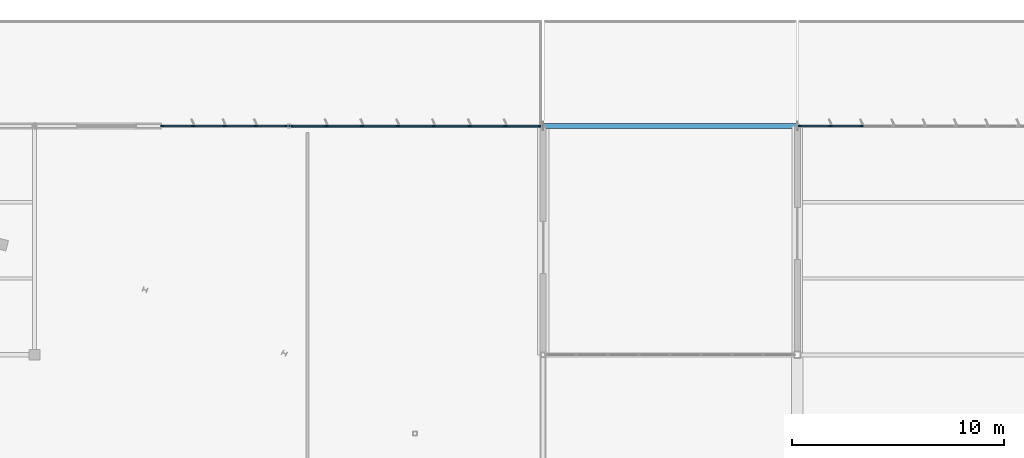
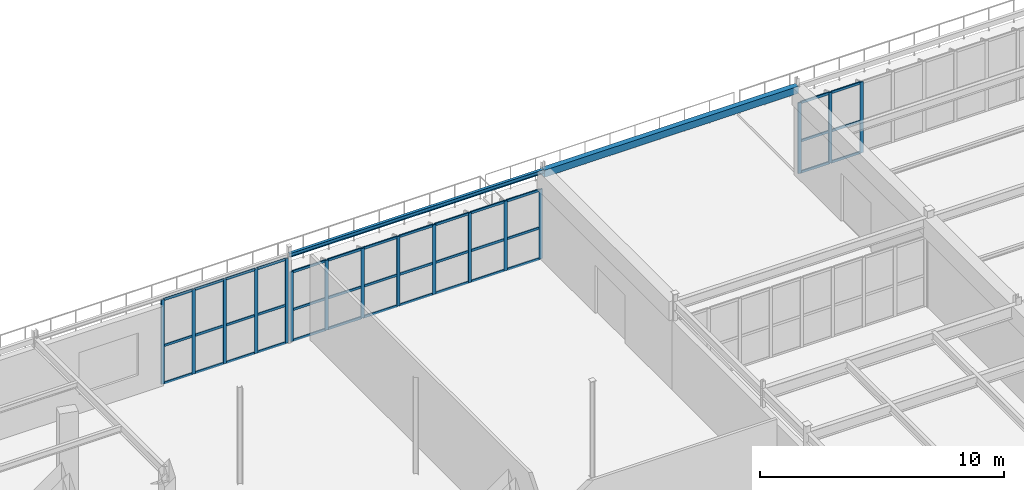
# One storey, part 114 of 199: 55 members, 2 beams, 3 elements without a shape of their own.
"""IFC4 building model written with IfcOpenShell, lengths in metres."""

from ifc_helpers import new_model, si_unit, direction, frame, origin, origin_2d, place, context, subcontext, project, spatial, rectangle, hollow_rectangle, i_section, extrude, material, layer, layer_set, material_profile, profile_set, type_object, element, aggregate, save


model = new_model("IFC4")

# Units and contexts
model_context = context("Model", 3, precision=1e-05, world=origin(), true_north=direction((0.0, 1.0)))
body_context = subcontext(model_context, "Body", "Model", "MODEL_VIEW")
ifc_project = project(units=[si_unit("LENGTHUNIT", "METRE"), si_unit("AREAUNIT", "SQUARE_METRE"), si_unit("VOLUMEUNIT", "CUBIC_METRE"), si_unit("PLANEANGLEUNIT", "RADIAN"), si_unit("MASSUNIT", "GRAM", prefix="KILO")], contexts=[model_context])

# Site, building, storey
site_placement = place(None, origin())
site = spatial("IfcSite", under=ifc_project, at=site_placement, CompositionType="ELEMENT")
building_placement = place(site_placement, origin())
building = spatial("IfcBuilding", under=site, at=building_placement, Name="Tarnwether General Hospital", CompositionType="ELEMENT")
storey_placement = place(building_placement, origin())
storey = spatial("IfcBuildingStorey", under=building, at=storey_placement, Name="L00", CompositionType="ELEMENT", Elevation=0.0)

# Beams
ifc_material_1 = material(Name="Steel Grade 350 (350 MPa)", Category="steel")
ifc_material_profile_1 = material_profile(ifc_material_1, i_section(OverallWidth=0.133056640625, OverallDepth=0.201904296875, WebThickness=0.0048828125, FlangeThickness=0.007080078125, at=origin_2d()), Name="200UB22.3")
ifc_profile_set_1 = profile_set([ifc_material_profile_1], Name="Steel Grade 350 (350 MPa)")
beam_type_1 = type_object("IfcBeamType", Name="BM-SP6", PredefinedType="SPANDREL", material=ifc_profile_set_1)
beam_1_placement = place(storey_placement, frame((120.0, 126.0, 4.343994140625), z_axis=(1.0, 0.0, 0.0), x_axis=(0.0, 1.0, 0.0)))
element("IfcBeam", 1, at=beam_1_placement, inside=storey, type_object=beam_type_1, Name="Primary Girder BMG-L00-12000_12600-13200_12600-0765", PredefinedType="SPANDREL", context=body_context, shape_type="SweptSolid", body=[
    extrude(i_section(OverallWidth=0.133056640625, OverallDepth=0.201904296875, WebThickness=0.0048828125, FlangeThickness=0.007080078125, at=origin_2d()), origin(), (0.0, 0.0, 1.0), 12.0),
])
ifc_material_2 = material(Name="Steel Grade C350L0 (350 MPa)", Category="steel")
ifc_material_profile_2 = material_profile(ifc_material_2, hollow_rectangle(XDim=0.25, YDim=0.35009765625, WallThickness=0.012451171875, at=origin_2d()), Name="RHS350x250x12.5")
ifc_profile_set_2 = profile_set([ifc_material_profile_2], Name="Steel Grade C350L0 (350 MPa)")
beam_type_2 = type_object("IfcBeamType", Name="BM-SP7", PredefinedType="SPANDREL", material=ifc_profile_set_2)
beam_2_placement = place(storey_placement, frame((132.0, 126.0, 4.27001953125), z_axis=(1.0, 0.0, 0.0), x_axis=(0.0, 1.0, 0.0)))
element("IfcBeam", 2, at=beam_2_placement, inside=storey, type_object=beam_type_2, Name="Primary Girder BMG-L00-13200_12600-14400_12600-0783", PredefinedType="SPANDREL", context=body_context, shape_type="SweptSolid", body=[
    extrude(hollow_rectangle(XDim=0.25, YDim=0.35009765625, WallThickness=0.012451171875, at=origin_2d()), origin(), (0.0, 0.0, 1.0), 12.0),
])

# Curtain wall, members
ifc_material_3 = material(Name="Anodised aluminium", Category="aluminium")
ifc_layer_1 = layer(ifc_material_3, 0.159912109375)
ifc_layer_set_1 = layer_set([ifc_layer_1], Name="Anodised aluminium")
curtain_wall_type_1 = type_object("IfcCurtainWallType", Name="CW-14", PredefinedType="NOTDEFINED", material=ifc_layer_set_1)
curtain_wall_1_placement = place(storey_placement, origin())
curtain_wall_1 = element("IfcCurtainWall", 3, at=curtain_wall_1_placement, inside=storey, type_object=curtain_wall_type_1, Name="Curtain Wall CWG-L00-1140_1260-0276", PredefinedType="NOTDEFINED")
ifc_material_4 = material(Name="Anodised aluminium", Category="aluminium")
ifc_material_profile_3 = material_profile(ifc_material_4, rectangle(XDim=0.06005859375, YDim=0.159912109375, at=origin_2d()), Name="ALU-MUL-60x160")
ifc_profile_set_3 = profile_set([ifc_material_profile_3], Name="Anodised aluminium")
member_type_1 = type_object("IfcMemberType", Name="CW-ML1", PredefinedType="MULLION", material=ifc_profile_set_3)
member_1_placement = place(storey_placement, frame((114.030029296875, 126.0, 0.0), z_axis=(0.0, 0.0, 1.0), x_axis=(0.0, 1.0, 0.0)))
member_1 = element("IfcMember", 4, at=member_1_placement, type_object=member_type_1, Name="CW-14 mullion 1", PredefinedType="MULLION", context=body_context, shape_type="SweptSolid", body=[
    extrude(rectangle(XDim=0.06005859375, YDim=0.159912109375, at=origin_2d()), origin(), (0.0, 0.0, 1.0), 4.22705078125),
])
member_2_placement = place(storey_placement, frame((115.479248046875, 126.0, 0.0), z_axis=(0.0, 0.0, 1.0), x_axis=(0.0, 1.0, 0.0)))
member_2 = element("IfcMember", 5, at=member_2_placement, type_object=member_type_1, Name="CW-14 mullion 2", PredefinedType="MULLION", context=body_context, shape_type="SweptSolid", body=[
    extrude(rectangle(XDim=0.06005859375, YDim=0.159912109375, at=origin_2d()), origin(), (0.0, 0.0, 1.0), 4.22705078125),
])
member_3_placement = place(storey_placement, frame((116.95849609375, 126.0, 0.0), z_axis=(0.0, 0.0, 1.0), x_axis=(0.0, 1.0, 0.0)))
member_3 = element("IfcMember", 6, at=member_3_placement, type_object=member_type_1, Name="CW-14 mullion 3", PredefinedType="MULLION", context=body_context, shape_type="SweptSolid", body=[
    extrude(rectangle(XDim=0.06005859375, YDim=0.159912109375, at=origin_2d()), origin(), (0.0, 0.0, 1.0), 4.22705078125),
])
member_4_placement = place(storey_placement, frame((118.437744140625, 126.0, 0.0), z_axis=(0.0, 0.0, 1.0), x_axis=(0.0, 1.0, 0.0)))
member_4 = element("IfcMember", 7, at=member_4_placement, type_object=member_type_1, Name="CW-14 mullion 4", PredefinedType="MULLION", context=body_context, shape_type="SweptSolid", body=[
    extrude(rectangle(XDim=0.06005859375, YDim=0.159912109375, at=origin_2d()), origin(), (0.0, 0.0, 1.0), 4.22705078125),
])
member_5_placement = place(storey_placement, frame((119.886962890625, 126.0, 0.0), z_axis=(0.0, 0.0, 1.0), x_axis=(0.0, 1.0, 0.0)))
member_5 = element("IfcMember", 8, at=member_5_placement, type_object=member_type_1, Name="CW-14 mullion 5", PredefinedType="MULLION", context=body_context, shape_type="SweptSolid", body=[
    extrude(rectangle(XDim=0.06005859375, YDim=0.159912109375, at=origin_2d()), origin(), (0.0, 0.0, 1.0), 4.22705078125),
])

curtain_wall_2_placement = place(storey_placement, origin())
curtain_wall_2 = element("IfcCurtainWall", 9, at=curtain_wall_2_placement, inside=storey, type_object=curtain_wall_type_1, Name="Curtain Wall CWG-L00-1201_1260-0277", PredefinedType="NOTDEFINED")
member_6_placement = place(storey_placement, frame((120.113037109375, 126.0, 0.0), z_axis=(0.0, 0.0, 1.0), x_axis=(0.0, 1.0, 0.0)))
member_6 = element("IfcMember", 10, at=member_6_placement, type_object=member_type_1, Name="CW-14 mullion 1", PredefinedType="MULLION", context=body_context, shape_type="SweptSolid", body=[
    extrude(rectangle(XDim=0.06005859375, YDim=0.159912109375, at=origin_2d()), origin(), (0.0, 0.0, 1.0), 3.47998046875),
])
member_7_placement = place(storey_placement, frame((121.77294921875, 126.0, 0.0), z_axis=(0.0, 0.0, 1.0), x_axis=(0.0, 1.0, 0.0)))
member_7 = element("IfcMember", 11, at=member_7_placement, type_object=member_type_1, Name="CW-14 mullion 2", PredefinedType="MULLION", context=body_context, shape_type="SweptSolid", body=[
    extrude(rectangle(XDim=0.06005859375, YDim=0.159912109375, at=origin_2d()), origin(), (0.0, 0.0, 1.0), 3.47998046875),
])
member_8_placement = place(storey_placement, frame((123.462890625, 126.0, 0.0), z_axis=(0.0, 0.0, 1.0), x_axis=(0.0, 1.0, 0.0)))
member_8 = element("IfcMember", 12, at=member_8_placement, type_object=member_type_1, Name="CW-14 mullion 3", PredefinedType="MULLION", context=body_context, shape_type="SweptSolid", body=[
    extrude(rectangle(XDim=0.06005859375, YDim=0.159912109375, at=origin_2d()), origin(), (0.0, 0.0, 1.0), 3.47998046875),
])
member_9_placement = place(storey_placement, frame((125.153076171875, 126.0, 0.0), z_axis=(0.0, 0.0, 1.0), x_axis=(0.0, 1.0, 0.0)))
member_9 = element("IfcMember", 13, at=member_9_placement, type_object=member_type_1, Name="CW-14 mullion 4", PredefinedType="MULLION", context=body_context, shape_type="SweptSolid", body=[
    extrude(rectangle(XDim=0.06005859375, YDim=0.159912109375, at=origin_2d()), origin(), (0.0, 0.0, 1.0), 3.47998046875),
])
member_10_placement = place(storey_placement, frame((126.843017578125, 126.0, 0.0), z_axis=(0.0, 0.0, 1.0), x_axis=(0.0, 1.0, 0.0)))
member_10 = element("IfcMember", 14, at=member_10_placement, type_object=member_type_1, Name="CW-14 mullion 5", PredefinedType="MULLION", context=body_context, shape_type="SweptSolid", body=[
    extrude(rectangle(XDim=0.06005859375, YDim=0.159912109375, at=origin_2d()), origin(), (0.0, 0.0, 1.0), 3.47998046875),
])
member_11_placement = place(storey_placement, frame((128.532958984375, 126.0, 0.0), z_axis=(0.0, 0.0, 1.0), x_axis=(0.0, 1.0, 0.0)))
member_11 = element("IfcMember", 15, at=member_11_placement, type_object=member_type_1, Name="CW-14 mullion 6", PredefinedType="MULLION", context=body_context, shape_type="SweptSolid", body=[
    extrude(rectangle(XDim=0.06005859375, YDim=0.159912109375, at=origin_2d()), origin(), (0.0, 0.0, 1.0), 3.47998046875),
])
member_12_placement = place(storey_placement, frame((130.222900390625, 126.0, 0.0), z_axis=(0.0, 0.0, 1.0), x_axis=(0.0, 1.0, 0.0)))
member_12 = element("IfcMember", 16, at=member_12_placement, type_object=member_type_1, Name="CW-14 mullion 7", PredefinedType="MULLION", context=body_context, shape_type="SweptSolid", body=[
    extrude(rectangle(XDim=0.06005859375, YDim=0.159912109375, at=origin_2d()), origin(), (0.0, 0.0, 1.0), 3.47998046875),
])
member_13_placement = place(storey_placement, frame((131.883056640625, 126.0, 0.0), z_axis=(0.0, 0.0, 1.0), x_axis=(0.0, 1.0, 0.0)))
member_13 = element("IfcMember", 17, at=member_13_placement, type_object=member_type_1, Name="CW-14 mullion 8", PredefinedType="MULLION", context=body_context, shape_type="SweptSolid", body=[
    extrude(rectangle(XDim=0.06005859375, YDim=0.159912109375, at=origin_2d()), origin(), (0.0, 0.0, 1.0), 3.47998046875),
])

ifc_material_5 = material(Name="Anodised aluminium", Category="aluminium")
ifc_layer_2 = layer(ifc_material_5, 0.159912109375)
ifc_layer_set_2 = layer_set([ifc_layer_2], Name="Anodised aluminium")
curtain_wall_type_2 = type_object("IfcCurtainWallType", Name="CW-16", PredefinedType="NOTDEFINED", material=ifc_layer_set_2)
curtain_wall_3_placement = place(storey_placement, origin())
curtain_wall_3 = element("IfcCurtainWall", 18, at=curtain_wall_3_placement, inside=storey, type_object=curtain_wall_type_2, Name="Curtain Wall CWG-L00-1441_1260-0278", PredefinedType="NOTDEFINED")
member_14_placement = place(storey_placement, frame((144.114013671875, 126.0, 0.0), z_axis=(0.0, 0.0, 1.0), x_axis=(0.0, 1.0, 0.0)))
member_14 = element("IfcMember", 19, at=member_14_placement, type_object=member_type_1, Name="CW-16 mullion 1", PredefinedType="MULLION", context=body_context, shape_type="SweptSolid", body=[
    extrude(rectangle(XDim=0.06005859375, YDim=0.159912109375, at=origin_2d()), origin(), (0.0, 0.0, 1.0), 3.530029296875),
])
member_15_placement = place(storey_placement, frame((145.560302734375, 126.0, 0.0), z_axis=(0.0, 0.0, 1.0), x_axis=(0.0, 1.0, 0.0)))
member_15 = element("IfcMember", 20, at=member_15_placement, type_object=member_type_1, Name="CW-16 mullion 2", PredefinedType="MULLION", context=body_context, shape_type="SweptSolid", body=[
    extrude(rectangle(XDim=0.06005859375, YDim=0.159912109375, at=origin_2d()), origin(), (0.0, 0.0, 1.0), 3.530029296875),
])
member_16_placement = place(storey_placement, frame((147.036865234375, 126.0, 0.0), z_axis=(0.0, 0.0, 1.0), x_axis=(0.0, 1.0, 0.0)))
member_16 = element("IfcMember", 21, at=member_16_placement, type_object=member_type_1, Name="CW-16 mullion 3", PredefinedType="MULLION", context=body_context, shape_type="SweptSolid", body=[
    extrude(rectangle(XDim=0.06005859375, YDim=0.159912109375, at=origin_2d()), origin(), (0.0, 0.0, 1.0), 3.530029296875),
])

# Member
ifc_material_6 = material(Name="Anodised aluminium", Category="aluminium")
ifc_material_profile_4 = material_profile(ifc_material_6, rectangle(XDim=0.06005859375, YDim=0.1201171875, at=origin_2d()), Name="ALU-TRN-60x120")
ifc_profile_set_4 = profile_set([ifc_material_profile_4], Name="Anodised aluminium")
member_type_2 = type_object("IfcMemberType", Name="CW-TR1", PredefinedType="USERDEFINED", material=ifc_profile_set_4)
member_17_placement = place(storey_placement, frame((114.06005859375, 126.0, 0.030029296875), z_axis=(1.0, 0.0, 0.0), x_axis=(0.0, 1.0, 0.0)))
member_17 = element("IfcMember", 22, at=member_17_placement, type_object=member_type_2, Name="CW-14 transom 1.1", ObjectType="TRANSOM", PredefinedType="USERDEFINED", context=body_context, shape_type="SweptSolid", body=[
    extrude(rectangle(XDim=0.06005859375, YDim=0.1201171875, at=origin_2d()), origin(), (0.0, 0.0, 1.0), 1.38916015625),
])

member_18_placement = place(storey_placement, frame((114.06005859375, 126.0, 1.902099609375), z_axis=(1.0, 0.0, 0.0), x_axis=(0.0, 1.0, 0.0)))
member_18 = element("IfcMember", 23, at=member_18_placement, type_object=member_type_2, Name="CW-14 transom 1.2", ObjectType="TRANSOM", PredefinedType="USERDEFINED", context=body_context, shape_type="SweptSolid", body=[
    extrude(rectangle(XDim=0.06005859375, YDim=0.1201171875, at=origin_2d()), origin(), (0.0, 0.0, 1.0), 1.38916015625),
])

member_19_placement = place(storey_placement, frame((114.06005859375, 126.0, 4.197021484375), z_axis=(1.0, 0.0, 0.0), x_axis=(0.0, 1.0, 0.0)))
member_19 = element("IfcMember", 24, at=member_19_placement, type_object=member_type_2, Name="CW-14 transom 1.3", ObjectType="TRANSOM", PredefinedType="USERDEFINED", context=body_context, shape_type="SweptSolid", body=[
    extrude(rectangle(XDim=0.06005859375, YDim=0.1201171875, at=origin_2d()), origin(), (0.0, 0.0, 1.0), 1.38916015625),
])

member_20_placement = place(storey_placement, frame((115.50927734375, 126.0, 0.030029296875), z_axis=(1.0, 0.0, 0.0), x_axis=(0.0, 1.0, 0.0)))
member_20 = element("IfcMember", 25, at=member_20_placement, type_object=member_type_2, Name="CW-14 transom 2.1", ObjectType="TRANSOM", PredefinedType="USERDEFINED", context=body_context, shape_type="SweptSolid", body=[
    extrude(rectangle(XDim=0.06005859375, YDim=0.1201171875, at=origin_2d()), origin(), (0.0, 0.0, 1.0), 1.419189453125),
])

member_21_placement = place(storey_placement, frame((115.50927734375, 126.0, 1.902099609375), z_axis=(1.0, 0.0, 0.0), x_axis=(0.0, 1.0, 0.0)))
member_21 = element("IfcMember", 26, at=member_21_placement, type_object=member_type_2, Name="CW-14 transom 2.2", ObjectType="TRANSOM", PredefinedType="USERDEFINED", context=body_context, shape_type="SweptSolid", body=[
    extrude(rectangle(XDim=0.06005859375, YDim=0.1201171875, at=origin_2d()), origin(), (0.0, 0.0, 1.0), 1.419189453125),
])

member_22_placement = place(storey_placement, frame((115.50927734375, 126.0, 4.197021484375), z_axis=(1.0, 0.0, 0.0), x_axis=(0.0, 1.0, 0.0)))
member_22 = element("IfcMember", 27, at=member_22_placement, type_object=member_type_2, Name="CW-14 transom 2.3", ObjectType="TRANSOM", PredefinedType="USERDEFINED", context=body_context, shape_type="SweptSolid", body=[
    extrude(rectangle(XDim=0.06005859375, YDim=0.1201171875, at=origin_2d()), origin(), (0.0, 0.0, 1.0), 1.419189453125),
])

member_23_placement = place(storey_placement, frame((116.988525390625, 126.0, 0.030029296875), z_axis=(1.0, 0.0, 0.0), x_axis=(0.0, 1.0, 0.0)))
member_23 = element("IfcMember", 28, at=member_23_placement, type_object=member_type_2, Name="CW-14 transom 3.1", ObjectType="TRANSOM", PredefinedType="USERDEFINED", context=body_context, shape_type="SweptSolid", body=[
    extrude(rectangle(XDim=0.06005859375, YDim=0.1201171875, at=origin_2d()), origin(), (0.0, 0.0, 1.0), 1.419189453125),
])

member_24_placement = place(storey_placement, frame((116.988525390625, 126.0, 1.902099609375), z_axis=(1.0, 0.0, 0.0), x_axis=(0.0, 1.0, 0.0)))
member_24 = element("IfcMember", 29, at=member_24_placement, type_object=member_type_2, Name="CW-14 transom 3.2", ObjectType="TRANSOM", PredefinedType="USERDEFINED", context=body_context, shape_type="SweptSolid", body=[
    extrude(rectangle(XDim=0.06005859375, YDim=0.1201171875, at=origin_2d()), origin(), (0.0, 0.0, 1.0), 1.419189453125),
])

member_25_placement = place(storey_placement, frame((116.988525390625, 126.0, 4.197021484375), z_axis=(1.0, 0.0, 0.0), x_axis=(0.0, 1.0, 0.0)))
member_25 = element("IfcMember", 30, at=member_25_placement, type_object=member_type_2, Name="CW-14 transom 3.3", ObjectType="TRANSOM", PredefinedType="USERDEFINED", context=body_context, shape_type="SweptSolid", body=[
    extrude(rectangle(XDim=0.06005859375, YDim=0.1201171875, at=origin_2d()), origin(), (0.0, 0.0, 1.0), 1.419189453125),
])

member_26_placement = place(storey_placement, frame((118.4677734375, 126.0, 0.030029296875), z_axis=(1.0, 0.0, 0.0), x_axis=(0.0, 1.0, 0.0)))
member_26 = element("IfcMember", 31, at=member_26_placement, type_object=member_type_2, Name="CW-14 transom 4.1", ObjectType="TRANSOM", PredefinedType="USERDEFINED", context=body_context, shape_type="SweptSolid", body=[
    extrude(rectangle(XDim=0.06005859375, YDim=0.1201171875, at=origin_2d()), origin(), (0.0, 0.0, 1.0), 1.38916015625),
])

member_27_placement = place(storey_placement, frame((118.4677734375, 126.0, 1.902099609375), z_axis=(1.0, 0.0, 0.0), x_axis=(0.0, 1.0, 0.0)))
member_27 = element("IfcMember", 32, at=member_27_placement, type_object=member_type_2, Name="CW-14 transom 4.2", ObjectType="TRANSOM", PredefinedType="USERDEFINED", context=body_context, shape_type="SweptSolid", body=[
    extrude(rectangle(XDim=0.06005859375, YDim=0.1201171875, at=origin_2d()), origin(), (0.0, 0.0, 1.0), 1.38916015625),
])

member_28_placement = place(storey_placement, frame((118.4677734375, 126.0, 4.197021484375), z_axis=(1.0, 0.0, 0.0), x_axis=(0.0, 1.0, 0.0)))
member_28 = element("IfcMember", 33, at=member_28_placement, type_object=member_type_2, Name="CW-14 transom 4.3", ObjectType="TRANSOM", PredefinedType="USERDEFINED", context=body_context, shape_type="SweptSolid", body=[
    extrude(rectangle(XDim=0.06005859375, YDim=0.1201171875, at=origin_2d()), origin(), (0.0, 0.0, 1.0), 1.38916015625),
])

aggregate(curtain_wall_1, [member_1, member_2, member_3, member_4, member_5, member_17, member_18, member_19, member_20, member_21, member_22, member_23, member_24, member_25, member_26, member_27, member_28])

member_29_placement = place(storey_placement, frame((120.14306640625, 126.0, 0.030029296875), z_axis=(1.0, 0.0, 0.0), x_axis=(0.0, 1.0, 0.0)))
member_29 = element("IfcMember", 34, at=member_29_placement, type_object=member_type_2, Name="CW-14 transom 1.1", ObjectType="TRANSOM", PredefinedType="USERDEFINED", context=body_context, shape_type="SweptSolid", body=[
    extrude(rectangle(XDim=0.06005859375, YDim=0.1201171875, at=origin_2d()), origin(), (0.0, 0.0, 1.0), 1.599853515625),
])

member_30_placement = place(storey_placement, frame((120.14306640625, 126.0, 1.56591796875), z_axis=(1.0, 0.0, 0.0), x_axis=(0.0, 1.0, 0.0)))
member_30 = element("IfcMember", 35, at=member_30_placement, type_object=member_type_2, Name="CW-14 transom 1.2", ObjectType="TRANSOM", PredefinedType="USERDEFINED", context=body_context, shape_type="SweptSolid", body=[
    extrude(rectangle(XDim=0.06005859375, YDim=0.1201171875, at=origin_2d()), origin(), (0.0, 0.0, 1.0), 1.599853515625),
])

member_31_placement = place(storey_placement, frame((120.14306640625, 126.0, 3.449951171875), z_axis=(1.0, 0.0, 0.0), x_axis=(0.0, 1.0, 0.0)))
member_31 = element("IfcMember", 36, at=member_31_placement, type_object=member_type_2, Name="CW-14 transom 1.3", ObjectType="TRANSOM", PredefinedType="USERDEFINED", context=body_context, shape_type="SweptSolid", body=[
    extrude(rectangle(XDim=0.06005859375, YDim=0.1201171875, at=origin_2d()), origin(), (0.0, 0.0, 1.0), 1.599853515625),
])

member_32_placement = place(storey_placement, frame((121.802978515625, 126.0, 0.030029296875), z_axis=(1.0, 0.0, 0.0), x_axis=(0.0, 1.0, 0.0)))
member_32 = element("IfcMember", 37, at=member_32_placement, type_object=member_type_2, Name="CW-14 transom 2.1", ObjectType="TRANSOM", PredefinedType="USERDEFINED", context=body_context, shape_type="SweptSolid", body=[
    extrude(rectangle(XDim=0.06005859375, YDim=0.1201171875, at=origin_2d()), origin(), (0.0, 0.0, 1.0), 1.630126953125),
])

member_33_placement = place(storey_placement, frame((121.802978515625, 126.0, 1.56591796875), z_axis=(1.0, 0.0, 0.0), x_axis=(0.0, 1.0, 0.0)))
member_33 = element("IfcMember", 38, at=member_33_placement, type_object=member_type_2, Name="CW-14 transom 2.2", ObjectType="TRANSOM", PredefinedType="USERDEFINED", context=body_context, shape_type="SweptSolid", body=[
    extrude(rectangle(XDim=0.06005859375, YDim=0.1201171875, at=origin_2d()), origin(), (0.0, 0.0, 1.0), 1.630126953125),
])

member_34_placement = place(storey_placement, frame((121.802978515625, 126.0, 3.449951171875), z_axis=(1.0, 0.0, 0.0), x_axis=(0.0, 1.0, 0.0)))
member_34 = element("IfcMember", 39, at=member_34_placement, type_object=member_type_2, Name="CW-14 transom 2.3", ObjectType="TRANSOM", PredefinedType="USERDEFINED", context=body_context, shape_type="SweptSolid", body=[
    extrude(rectangle(XDim=0.06005859375, YDim=0.1201171875, at=origin_2d()), origin(), (0.0, 0.0, 1.0), 1.630126953125),
])

member_35_placement = place(storey_placement, frame((123.492919921875, 126.0, 0.030029296875), z_axis=(1.0, 0.0, 0.0), x_axis=(0.0, 1.0, 0.0)))
member_35 = element("IfcMember", 40, at=member_35_placement, type_object=member_type_2, Name="CW-14 transom 3.1", ObjectType="TRANSOM", PredefinedType="USERDEFINED", context=body_context, shape_type="SweptSolid", body=[
    extrude(rectangle(XDim=0.06005859375, YDim=0.1201171875, at=origin_2d()), origin(), (0.0, 0.0, 1.0), 1.630126953125),
])

member_36_placement = place(storey_placement, frame((123.492919921875, 126.0, 1.56591796875), z_axis=(1.0, 0.0, 0.0), x_axis=(0.0, 1.0, 0.0)))
member_36 = element("IfcMember", 41, at=member_36_placement, type_object=member_type_2, Name="CW-14 transom 3.2", ObjectType="TRANSOM", PredefinedType="USERDEFINED", context=body_context, shape_type="SweptSolid", body=[
    extrude(rectangle(XDim=0.06005859375, YDim=0.1201171875, at=origin_2d()), origin(), (0.0, 0.0, 1.0), 1.630126953125),
])

member_37_placement = place(storey_placement, frame((123.492919921875, 126.0, 3.449951171875), z_axis=(1.0, 0.0, 0.0), x_axis=(0.0, 1.0, 0.0)))
member_37 = element("IfcMember", 42, at=member_37_placement, type_object=member_type_2, Name="CW-14 transom 3.3", ObjectType="TRANSOM", PredefinedType="USERDEFINED", context=body_context, shape_type="SweptSolid", body=[
    extrude(rectangle(XDim=0.06005859375, YDim=0.1201171875, at=origin_2d()), origin(), (0.0, 0.0, 1.0), 1.630126953125),
])

member_38_placement = place(storey_placement, frame((125.18310546875, 126.0, 0.030029296875), z_axis=(1.0, 0.0, 0.0), x_axis=(0.0, 1.0, 0.0)))
member_38 = element("IfcMember", 43, at=member_38_placement, type_object=member_type_2, Name="CW-14 transom 4.1", ObjectType="TRANSOM", PredefinedType="USERDEFINED", context=body_context, shape_type="SweptSolid", body=[
    extrude(rectangle(XDim=0.06005859375, YDim=0.1201171875, at=origin_2d()), origin(), (0.0, 0.0, 1.0), 1.6298828125),
])

member_39_placement = place(storey_placement, frame((125.18310546875, 126.0, 1.56591796875), z_axis=(1.0, 0.0, 0.0), x_axis=(0.0, 1.0, 0.0)))
member_39 = element("IfcMember", 44, at=member_39_placement, type_object=member_type_2, Name="CW-14 transom 4.2", ObjectType="TRANSOM", PredefinedType="USERDEFINED", context=body_context, shape_type="SweptSolid", body=[
    extrude(rectangle(XDim=0.06005859375, YDim=0.1201171875, at=origin_2d()), origin(), (0.0, 0.0, 1.0), 1.6298828125),
])

member_40_placement = place(storey_placement, frame((125.18310546875, 126.0, 3.449951171875), z_axis=(1.0, 0.0, 0.0), x_axis=(0.0, 1.0, 0.0)))
member_40 = element("IfcMember", 45, at=member_40_placement, type_object=member_type_2, Name="CW-14 transom 4.3", ObjectType="TRANSOM", PredefinedType="USERDEFINED", context=body_context, shape_type="SweptSolid", body=[
    extrude(rectangle(XDim=0.06005859375, YDim=0.1201171875, at=origin_2d()), origin(), (0.0, 0.0, 1.0), 1.6298828125),
])

member_41_placement = place(storey_placement, frame((126.873046875, 126.0, 0.030029296875), z_axis=(1.0, 0.0, 0.0), x_axis=(0.0, 1.0, 0.0)))
member_41 = element("IfcMember", 46, at=member_41_placement, type_object=member_type_2, Name="CW-14 transom 5.1", ObjectType="TRANSOM", PredefinedType="USERDEFINED", context=body_context, shape_type="SweptSolid", body=[
    extrude(rectangle(XDim=0.06005859375, YDim=0.1201171875, at=origin_2d()), origin(), (0.0, 0.0, 1.0), 1.6298828125),
])

member_42_placement = place(storey_placement, frame((126.873046875, 126.0, 1.56591796875), z_axis=(1.0, 0.0, 0.0), x_axis=(0.0, 1.0, 0.0)))
member_42 = element("IfcMember", 47, at=member_42_placement, type_object=member_type_2, Name="CW-14 transom 5.2", ObjectType="TRANSOM", PredefinedType="USERDEFINED", context=body_context, shape_type="SweptSolid", body=[
    extrude(rectangle(XDim=0.06005859375, YDim=0.1201171875, at=origin_2d()), origin(), (0.0, 0.0, 1.0), 1.6298828125),
])

member_43_placement = place(storey_placement, frame((126.873046875, 126.0, 3.449951171875), z_axis=(1.0, 0.0, 0.0), x_axis=(0.0, 1.0, 0.0)))
member_43 = element("IfcMember", 48, at=member_43_placement, type_object=member_type_2, Name="CW-14 transom 5.3", ObjectType="TRANSOM", PredefinedType="USERDEFINED", context=body_context, shape_type="SweptSolid", body=[
    extrude(rectangle(XDim=0.06005859375, YDim=0.1201171875, at=origin_2d()), origin(), (0.0, 0.0, 1.0), 1.6298828125),
])

member_44_placement = place(storey_placement, frame((128.56298828125, 126.0, 0.030029296875), z_axis=(1.0, 0.0, 0.0), x_axis=(0.0, 1.0, 0.0)))
member_44 = element("IfcMember", 49, at=member_44_placement, type_object=member_type_2, Name="CW-14 transom 6.1", ObjectType="TRANSOM", PredefinedType="USERDEFINED", context=body_context, shape_type="SweptSolid", body=[
    extrude(rectangle(XDim=0.06005859375, YDim=0.1201171875, at=origin_2d()), origin(), (0.0, 0.0, 1.0), 1.630126953125),
])

member_45_placement = place(storey_placement, frame((128.56298828125, 126.0, 1.56591796875), z_axis=(1.0, 0.0, 0.0), x_axis=(0.0, 1.0, 0.0)))
member_45 = element("IfcMember", 50, at=member_45_placement, type_object=member_type_2, Name="CW-14 transom 6.2", ObjectType="TRANSOM", PredefinedType="USERDEFINED", context=body_context, shape_type="SweptSolid", body=[
    extrude(rectangle(XDim=0.06005859375, YDim=0.1201171875, at=origin_2d()), origin(), (0.0, 0.0, 1.0), 1.630126953125),
])

member_46_placement = place(storey_placement, frame((128.56298828125, 126.0, 3.449951171875), z_axis=(1.0, 0.0, 0.0), x_axis=(0.0, 1.0, 0.0)))
member_46 = element("IfcMember", 51, at=member_46_placement, type_object=member_type_2, Name="CW-14 transom 6.3", ObjectType="TRANSOM", PredefinedType="USERDEFINED", context=body_context, shape_type="SweptSolid", body=[
    extrude(rectangle(XDim=0.06005859375, YDim=0.1201171875, at=origin_2d()), origin(), (0.0, 0.0, 1.0), 1.630126953125),
])

member_47_placement = place(storey_placement, frame((130.2529296875, 126.0, 0.030029296875), z_axis=(1.0, 0.0, 0.0), x_axis=(0.0, 1.0, 0.0)))
member_47 = element("IfcMember", 52, at=member_47_placement, type_object=member_type_2, Name="CW-14 transom 7.1", ObjectType="TRANSOM", PredefinedType="USERDEFINED", context=body_context, shape_type="SweptSolid", body=[
    extrude(rectangle(XDim=0.06005859375, YDim=0.1201171875, at=origin_2d()), origin(), (0.0, 0.0, 1.0), 1.60009765625),
])

member_48_placement = place(storey_placement, frame((130.2529296875, 126.0, 1.56591796875), z_axis=(1.0, 0.0, 0.0), x_axis=(0.0, 1.0, 0.0)))
member_48 = element("IfcMember", 53, at=member_48_placement, type_object=member_type_2, Name="CW-14 transom 7.2", ObjectType="TRANSOM", PredefinedType="USERDEFINED", context=body_context, shape_type="SweptSolid", body=[
    extrude(rectangle(XDim=0.06005859375, YDim=0.1201171875, at=origin_2d()), origin(), (0.0, 0.0, 1.0), 1.60009765625),
])

member_49_placement = place(storey_placement, frame((130.2529296875, 126.0, 3.449951171875), z_axis=(1.0, 0.0, 0.0), x_axis=(0.0, 1.0, 0.0)))
member_49 = element("IfcMember", 54, at=member_49_placement, type_object=member_type_2, Name="CW-14 transom 7.3", ObjectType="TRANSOM", PredefinedType="USERDEFINED", context=body_context, shape_type="SweptSolid", body=[
    extrude(rectangle(XDim=0.06005859375, YDim=0.1201171875, at=origin_2d()), origin(), (0.0, 0.0, 1.0), 1.60009765625),
])

aggregate(curtain_wall_2, [member_6, member_7, member_8, member_9, member_10, member_11, member_12, member_13, member_29, member_30, member_31, member_32, member_33, member_34, member_35, member_36, member_37, member_38, member_39, member_40, member_41, member_42, member_43, member_44, member_45, member_46, member_47, member_48, member_49])

member_50_placement = place(storey_placement, frame((144.14404296875, 126.0, 0.030029296875), z_axis=(1.0, 0.0, 0.0), x_axis=(0.0, 1.0, 0.0)))
member_50 = element("IfcMember", 55, at=member_50_placement, type_object=member_type_2, Name="CW-16 transom 1.1", ObjectType="TRANSOM", PredefinedType="USERDEFINED", context=body_context, shape_type="SweptSolid", body=[
    extrude(rectangle(XDim=0.06005859375, YDim=0.1201171875, at=origin_2d()), origin(), (0.0, 0.0, 1.0), 1.38623046875),
])

member_51_placement = place(storey_placement, frame((144.14404296875, 126.0, 1.58837890625), z_axis=(1.0, 0.0, 0.0), x_axis=(0.0, 1.0, 0.0)))
member_51 = element("IfcMember", 56, at=member_51_placement, type_object=member_type_2, Name="CW-16 transom 1.2", ObjectType="TRANSOM", PredefinedType="USERDEFINED", context=body_context, shape_type="SweptSolid", body=[
    extrude(rectangle(XDim=0.06005859375, YDim=0.1201171875, at=origin_2d()), origin(), (0.0, 0.0, 1.0), 1.38623046875),
])

member_52_placement = place(storey_placement, frame((144.14404296875, 126.0, 3.5), z_axis=(1.0, 0.0, 0.0), x_axis=(0.0, 1.0, 0.0)))
member_52 = element("IfcMember", 57, at=member_52_placement, type_object=member_type_2, Name="CW-16 transom 1.3", ObjectType="TRANSOM", PredefinedType="USERDEFINED", context=body_context, shape_type="SweptSolid", body=[
    extrude(rectangle(XDim=0.06005859375, YDim=0.1201171875, at=origin_2d()), origin(), (0.0, 0.0, 1.0), 1.38623046875),
])

member_53_placement = place(storey_placement, frame((145.59033203125, 126.0, 0.030029296875), z_axis=(1.0, 0.0, 0.0), x_axis=(0.0, 1.0, 0.0)))
member_53 = element("IfcMember", 58, at=member_53_placement, type_object=member_type_2, Name="CW-16 transom 2.1", ObjectType="TRANSOM", PredefinedType="USERDEFINED", context=body_context, shape_type="SweptSolid", body=[
    extrude(rectangle(XDim=0.06005859375, YDim=0.1201171875, at=origin_2d()), origin(), (0.0, 0.0, 1.0), 1.41650390625),
])

member_54_placement = place(storey_placement, frame((145.59033203125, 126.0, 1.58837890625), z_axis=(1.0, 0.0, 0.0), x_axis=(0.0, 1.0, 0.0)))
member_54 = element("IfcMember", 59, at=member_54_placement, type_object=member_type_2, Name="CW-16 transom 2.2", ObjectType="TRANSOM", PredefinedType="USERDEFINED", context=body_context, shape_type="SweptSolid", body=[
    extrude(rectangle(XDim=0.06005859375, YDim=0.1201171875, at=origin_2d()), origin(), (0.0, 0.0, 1.0), 1.41650390625),
])

member_55_placement = place(storey_placement, frame((145.59033203125, 126.0, 3.5), z_axis=(1.0, 0.0, 0.0), x_axis=(0.0, 1.0, 0.0)))
member_55 = element("IfcMember", 60, at=member_55_placement, type_object=member_type_2, Name="CW-16 transom 2.3", ObjectType="TRANSOM", PredefinedType="USERDEFINED", context=body_context, shape_type="SweptSolid", body=[
    extrude(rectangle(XDim=0.06005859375, YDim=0.1201171875, at=origin_2d()), origin(), (0.0, 0.0, 1.0), 1.41650390625),
])

aggregate(curtain_wall_3, [member_14, member_15, member_16, member_50, member_51, member_52, member_53, member_54, member_55])

save(model, "model.ifc")
